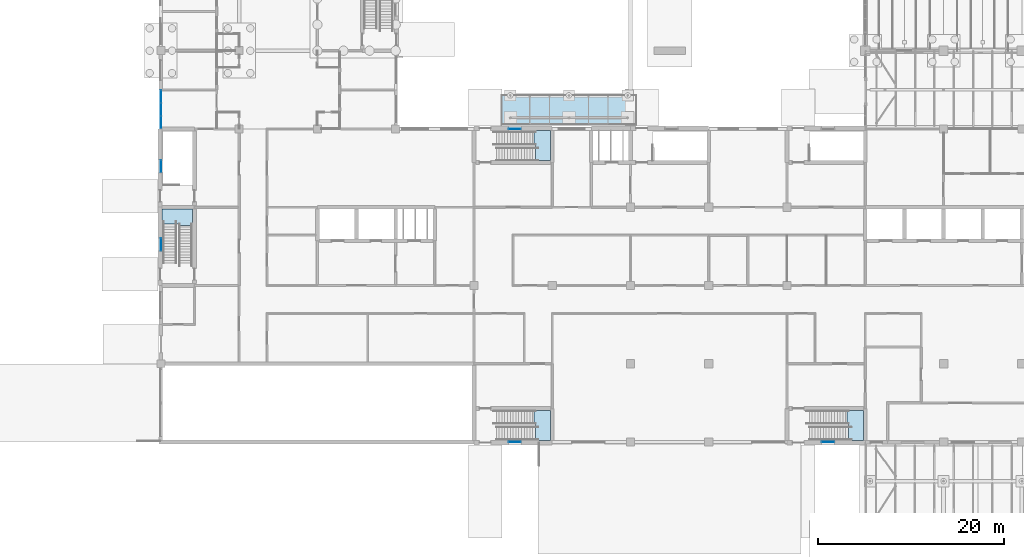
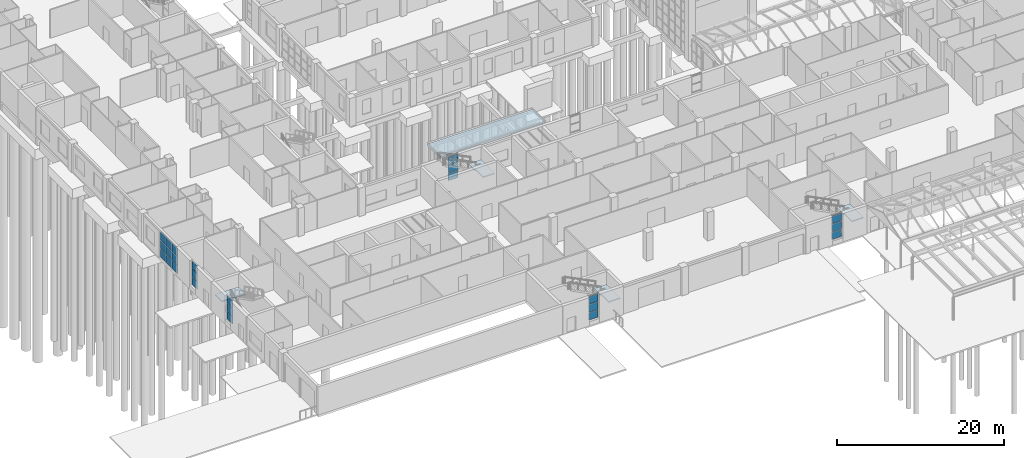
# One storey, part 77 of 138: 24 plates, 5 slabs, 10 elements without a shape of their own.
"""IFC4 building model written with IfcOpenShell, lengths in metres."""

from ifc_helpers import new_model, si_unit, direction, frame, origin, origin_2d, place, context, subcontext, project, spatial, polyline, rectangle, outline, extrude, material, layer, layer_set, type_object, element, aggregate, save


model = new_model("IFC4")

# Units and contexts
model_context = context("Model", 3, precision=1e-05, world=origin(), true_north=direction((0.0, 1.0)))
body_context = subcontext(model_context, "Body", "Model", "MODEL_VIEW")
ifc_project = project(units=[si_unit("LENGTHUNIT", "METRE"), si_unit("AREAUNIT", "SQUARE_METRE"), si_unit("VOLUMEUNIT", "CUBIC_METRE"), si_unit("PLANEANGLEUNIT", "RADIAN"), si_unit("MASSUNIT", "GRAM", prefix="KILO")], contexts=[model_context])

# Site, building, storey
site_placement = place(None, origin())
site = spatial("IfcSite", under=ifc_project, at=site_placement, CompositionType="ELEMENT")
building_placement = place(site_placement, origin())
building = spatial("IfcBuilding", under=site, at=building_placement, Name="Yavir Park General Hospital", CompositionType="ELEMENT")
storey_placement = place(building_placement, origin())
storey = spatial("IfcBuildingStorey", under=building, at=storey_placement, Name="L00", CompositionType="ELEMENT", Elevation=0.0)

# Stair, slab
ifc_material_1 = material(Name="Concrete C30/37", Category="concrete")
stair_type = type_object("IfcStairType", Name="Patient escape stair, 30 risers of 150 mm, 1400 mm flights", PredefinedType="HALF_TURN_STAIR", material=ifc_material_1)
stair_1_placement = place(storey_placement, origin())
stair_1 = element("IfcStair", 1, at=stair_1_placement, inside=storey, type_object=stair_type, Name="Stair SU1, L00 to L01", PredefinedType="HALF_TURN_STAIR")
ifc_material_2 = material(Name="Concrete C30/37", Category="concrete")
ifc_layer_1 = layer(ifc_material_2, 0.159912109375)
ifc_layer_set_1 = layer_set([ifc_layer_1], Name="Concrete C30/37")
slab_type_1 = type_object("IfcSlabType", Name="Patient escape stair half landing, reinforced concrete 160 mm", PredefinedType="LANDING", material=ifc_layer_set_1)
slab_1_placement = place(storey_placement, frame((0.0, 0.0, 2.090087890625)))
slab_1 = element("IfcSlab", 2, at=slab_1_placement, type_object=slab_type_1, Name="SU1 landing 1", PredefinedType="LANDING", context=body_context, shape_type="SweptSolid", body=[
    extrude(outline(polyline([(0.14990234375, 23.3984375), (0.14990234375, 25.0), (3.39990234375, 25.0), (3.39990234375, 23.25), (1.949951171875, 23.25), (1.949951171875, 23.3984375), (0.14990234375, 23.3984375)])), origin(), (0.0, 0.0, 1.0), 0.159912109375),
])
aggregate(stair_1, [slab_1])

stair_2_placement = place(storey_placement, origin())
stair_2 = element("IfcStair", 3, at=stair_2_placement, inside=storey, type_object=stair_type, Name="Stair SU2, L00 to L01", PredefinedType="HALF_TURN_STAIR")
slab_2_placement = place(storey_placement, frame((0.0, 0.0, 2.090087890625)))
slab_2 = element("IfcSlab", 4, at=slab_2_placement, type_object=slab_type_1, Name="SU2 landing 1", PredefinedType="LANDING", context=body_context, shape_type="SweptSolid", body=[
    extrude(outline(polyline([(40.198486328125, 0.14990234375), (41.800048828125, 0.14990234375), (41.800048828125, 3.39990234375), (40.050048828125, 3.39990234375), (40.050048828125, 1.949951171875), (40.198486328125, 1.949951171875), (40.198486328125, 0.14990234375)])), origin(), (0.0, 0.0, 1.0), 0.159912109375),
])
aggregate(stair_2, [slab_2])

stair_3_placement = place(storey_placement, origin())
stair_3 = element("IfcStair", 5, at=stair_3_placement, inside=storey, type_object=stair_type, Name="Stair SU3, L00 to L01", PredefinedType="HALF_TURN_STAIR")
slab_3_placement = place(storey_placement, frame((0.0, 0.0, 2.090087890625)))
slab_3 = element("IfcSlab", 6, at=slab_3_placement, type_object=slab_type_1, Name="SU3 landing 1", PredefinedType="LANDING", context=body_context, shape_type="SweptSolid", body=[
    extrude(outline(polyline([(73.798583984375, 0.14990234375), (75.39990234375, 0.14990234375), (75.39990234375, 3.39990234375), (73.64990234375, 3.39990234375), (73.64990234375, 1.949951171875), (73.798583984375, 1.949951171875), (73.798583984375, 0.14990234375)])), origin(), (0.0, 0.0, 1.0), 0.159912109375),
])
aggregate(stair_3, [slab_3])

stair_4_placement = place(storey_placement, origin())
stair_4 = element("IfcStair", 7, at=stair_4_placement, inside=storey, type_object=stair_type, Name="Stair PN1, L00 to L01", PredefinedType="HALF_TURN_STAIR")
slab_4_placement = place(storey_placement, frame((0.0, 0.0, 2.090087890625)))
slab_4 = element("IfcSlab", 8, at=slab_4_placement, type_object=slab_type_1, Name="PN1 landing 1", PredefinedType="LANDING", context=body_context, shape_type="SweptSolid", body=[
    extrude(outline(polyline([(40.198486328125, 30.199951171875), (41.800048828125, 30.199951171875), (41.800048828125, 33.449951171875), (40.050048828125, 33.449951171875), (40.050048828125, 31.89990234375), (40.198486328125, 31.89990234375), (40.198486328125, 30.199951171875)])), origin(), (0.0, 0.0, 1.0), 0.159912109375),
])
aggregate(stair_4, [slab_4])

# Slab
ifc_material_3 = material(Name="Concrete C35/45", Category="concrete")
ifc_layer_2 = layer(ifc_material_3, 0.25)
ifc_layer_set_2 = layer_set([ifc_layer_2], Name="Concrete C35/45")
slab_type_2 = type_object("IfcSlabType", Name="RC SLAB ROOF 250", PredefinedType="ROOF", material=ifc_layer_set_2)
slab_5_placement = place(storey_placement, frame((0.0, 0.0, 3.85009765625)))
element("IfcSlab", 9, at=slab_5_placement, inside=storey, type_object=slab_type_2, Name="RF:ARC1:slab", PredefinedType="ROOF", context=body_context, shape_type="SweptSolid", body=[
    extrude(outline(polyline([(51.0, 34.10009765625), (51.0, 37.199951171875), (36.60009765625, 37.199951171875), (36.60009765625, 34.10009765625), (51.0, 34.10009765625)])), origin(), (0.0, 0.0, 1.0), 0.25),
])

# Curtain wall, plates
ifc_material_4 = material(Name="Aluminium curtain wall frame with insulated glazing", Category="aluminium")
curtain_wall_type_1 = type_object("IfcCurtainWallType", Name="Reception glazing, 3840 high, 1400 module", PredefinedType="NOTDEFINED", material=ifc_material_4)
curtain_wall_1_placement = place(storey_placement, origin())
curtain_wall_1 = element("IfcCurtainWall", 10, at=curtain_wall_1_placement, inside=storey, type_object=curtain_wall_type_1, Name="CW8 L00-040", PredefinedType="NOTDEFINED")
ifc_material_5 = material(Name="Security glazed unit 50 mm")
ifc_layer_3 = layer(ifc_material_5, 0.050048828125)
ifc_layer_set_3 = layer_set([ifc_layer_3], Name="Security glazed unit 50 mm")
plate_type_1 = type_object("IfcPlateType", Name="Reception glazing, 3840 high panel 50", PredefinedType="CURTAIN_PANEL", material=ifc_layer_set_3)
plate_1_placement = place(storey_placement, frame((0.0, 34.31494140625, 0.06005859375), z_axis=(0.0, 0.0, 1.0), x_axis=(0.0, 1.0, 0.0)))
plate_1 = element("IfcPlate", 11, at=plate_1_placement, type_object=plate_type_1, Name="CW8 panel 1.1", PredefinedType="CURTAIN_PANEL", context=body_context, shape_type="SweptSolid", body=[
    extrude(rectangle(XDim=1.31005859375, YDim=0.050048828125, at=origin_2d()), origin(), (0.0, 0.0, 1.0), 1.18994140625),
])
plate_2_placement = place(storey_placement, frame((0.0, 34.31494140625, 1.31005859375), z_axis=(0.0, 0.0, 1.0), x_axis=(0.0, 1.0, 0.0)))
plate_2 = element("IfcPlate", 12, at=plate_2_placement, type_object=plate_type_1, Name="CW8 panel 1.2", PredefinedType="CURTAIN_PANEL", context=body_context, shape_type="SweptSolid", body=[
    extrude(rectangle(XDim=1.31005859375, YDim=0.050048828125, at=origin_2d()), origin(), (0.0, 0.0, 1.0), 1.219970703125),
])
plate_3_placement = place(storey_placement, frame((0.0, 34.31494140625, 2.590087890625), z_axis=(0.0, 0.0, 1.0), x_axis=(0.0, 1.0, 0.0)))
plate_3 = element("IfcPlate", 13, at=plate_3_placement, type_object=plate_type_1, Name="CW8 panel 1.3", PredefinedType="CURTAIN_PANEL", context=body_context, shape_type="SweptSolid", body=[
    extrude(rectangle(XDim=1.31005859375, YDim=0.050048828125, at=origin_2d()), origin(), (0.0, 0.0, 1.0), 1.18994140625),
])
plate_4_placement = place(storey_placement, frame((0.0, 35.699951171875, 0.06005859375), z_axis=(0.0, 0.0, 1.0), x_axis=(0.0, 1.0, 0.0)))
plate_4 = element("IfcPlate", 14, at=plate_4_placement, type_object=plate_type_1, Name="CW8 panel 2.1", PredefinedType="CURTAIN_PANEL", context=body_context, shape_type="SweptSolid", body=[
    extrude(rectangle(XDim=1.340087890625, YDim=0.050048828125, at=origin_2d()), origin(), (0.0, 0.0, 1.0), 1.18994140625),
])
plate_5_placement = place(storey_placement, frame((0.0, 35.699951171875, 1.31005859375), z_axis=(0.0, 0.0, 1.0), x_axis=(0.0, 1.0, 0.0)))
plate_5 = element("IfcPlate", 15, at=plate_5_placement, type_object=plate_type_1, Name="CW8 panel 2.2", PredefinedType="CURTAIN_PANEL", context=body_context, shape_type="SweptSolid", body=[
    extrude(rectangle(XDim=1.340087890625, YDim=0.050048828125, at=origin_2d()), origin(), (0.0, 0.0, 1.0), 1.219970703125),
])
plate_6_placement = place(storey_placement, frame((0.0, 35.699951171875, 2.590087890625), z_axis=(0.0, 0.0, 1.0), x_axis=(0.0, 1.0, 0.0)))
plate_6 = element("IfcPlate", 16, at=plate_6_placement, type_object=plate_type_1, Name="CW8 panel 2.3", PredefinedType="CURTAIN_PANEL", context=body_context, shape_type="SweptSolid", body=[
    extrude(rectangle(XDim=1.340087890625, YDim=0.050048828125, at=origin_2d()), origin(), (0.0, 0.0, 1.0), 1.18994140625),
])
plate_7_placement = place(storey_placement, frame((0.0, 37.0849609375, 0.06005859375), z_axis=(0.0, 0.0, 1.0), x_axis=(0.0, 1.0, 0.0)))
plate_7 = element("IfcPlate", 17, at=plate_7_placement, type_object=plate_type_1, Name="CW8 panel 3.1", PredefinedType="CURTAIN_PANEL", context=body_context, shape_type="SweptSolid", body=[
    extrude(rectangle(XDim=1.31005859375, YDim=0.050048828125, at=origin_2d()), origin(), (0.0, 0.0, 1.0), 1.18994140625),
])
plate_8_placement = place(storey_placement, frame((0.0, 37.0849609375, 1.31005859375), z_axis=(0.0, 0.0, 1.0), x_axis=(0.0, 1.0, 0.0)))
plate_8 = element("IfcPlate", 18, at=plate_8_placement, type_object=plate_type_1, Name="CW8 panel 3.2", PredefinedType="CURTAIN_PANEL", context=body_context, shape_type="SweptSolid", body=[
    extrude(rectangle(XDim=1.31005859375, YDim=0.050048828125, at=origin_2d()), origin(), (0.0, 0.0, 1.0), 1.219970703125),
])
plate_9_placement = place(storey_placement, frame((0.0, 37.0849609375, 2.590087890625), z_axis=(0.0, 0.0, 1.0), x_axis=(0.0, 1.0, 0.0)))
plate_9 = element("IfcPlate", 19, at=plate_9_placement, type_object=plate_type_1, Name="CW8 panel 3.3", PredefinedType="CURTAIN_PANEL", context=body_context, shape_type="SweptSolid", body=[
    extrude(rectangle(XDim=1.31005859375, YDim=0.050048828125, at=origin_2d()), origin(), (0.0, 0.0, 1.0), 1.18994140625),
])
aggregate(curtain_wall_1, [plate_1, plate_2, plate_3, plate_4, plate_5, plate_6, plate_7, plate_8, plate_9])

ifc_material_6 = material(Name="Aluminium curtain wall frame with insulated glazing", Category="aluminium")
curtain_wall_type_2 = type_object("IfcCurtainWallType", Name="Stair light slot, ground floor, 3540 high, 1400 module", PredefinedType="NOTDEFINED", material=ifc_material_6)
curtain_wall_2_placement = place(storey_placement, origin())
curtain_wall_2 = element("IfcCurtainWall", 20, at=curtain_wall_2_placement, inside=storey, type_object=curtain_wall_type_2, Name="CW19 L00-001", PredefinedType="NOTDEFINED")
ifc_material_7 = material(Name="Impact-resistant glazed unit 60 mm")
ifc_layer_4 = layer(ifc_material_7, 0.06005859375)
ifc_layer_set_4 = layer_set([ifc_layer_4], Name="Impact-resistant glazed unit 60 mm")
plate_type_2 = type_object("IfcPlateType", Name="Stair light slot, ground floor, 3540 high panel 60", PredefinedType="CURTAIN_PANEL", material=ifc_layer_set_4)
plate_10_placement = place(storey_placement, frame((38.0, 0.0, 0.64990234375), z_axis=(0.0, 0.0, 1.0), x_axis=(1.0, 0.0, 0.0)))
plate_10 = element("IfcPlate", 21, at=plate_10_placement, type_object=plate_type_2, Name="CW19 panel 1.1", PredefinedType="CURTAIN_PANEL", context=body_context, shape_type="SweptSolid", body=[
    extrude(rectangle(XDim=1.300048828125, YDim=0.06005859375, at=origin_2d()), origin(), (0.0, 0.0, 1.0), 1.10498046875),
])
plate_11_placement = place(storey_placement, frame((38.0, 0.0, 1.80517578125), z_axis=(0.0, 0.0, 1.0), x_axis=(1.0, 0.0, 0.0)))
plate_11 = element("IfcPlate", 22, at=plate_11_placement, type_object=plate_type_2, Name="CW19 panel 1.2", PredefinedType="CURTAIN_PANEL", context=body_context, shape_type="SweptSolid", body=[
    extrude(rectangle(XDim=1.300048828125, YDim=0.06005859375, at=origin_2d()), origin(), (0.0, 0.0, 1.0), 1.1298828125),
])
plate_12_placement = place(storey_placement, frame((38.0, 0.0, 2.985107421875), z_axis=(0.0, 0.0, 1.0), x_axis=(1.0, 0.0, 0.0)))
plate_12 = element("IfcPlate", 23, at=plate_12_placement, type_object=plate_type_2, Name="CW19 panel 1.3", PredefinedType="CURTAIN_PANEL", context=body_context, shape_type="SweptSolid", body=[
    extrude(rectangle(XDim=1.300048828125, YDim=0.06005859375, at=origin_2d()), origin(), (0.0, 0.0, 1.0), 1.10498046875),
])
aggregate(curtain_wall_2, [plate_10, plate_11, plate_12])

curtain_wall_3_placement = place(storey_placement, origin())
curtain_wall_3 = element("IfcCurtainWall", 24, at=curtain_wall_3_placement, inside=storey, type_object=curtain_wall_type_2, Name="CW19 L00-002", PredefinedType="NOTDEFINED")
plate_13_placement = place(storey_placement, frame((71.60009765625, 0.0, 0.64990234375), z_axis=(0.0, 0.0, 1.0), x_axis=(1.0, 0.0, 0.0)))
plate_13 = element("IfcPlate", 25, at=plate_13_placement, type_object=plate_type_2, Name="CW19 panel 1.1", PredefinedType="CURTAIN_PANEL", context=body_context, shape_type="SweptSolid", body=[
    extrude(rectangle(XDim=1.300048828125, YDim=0.06005859375, at=origin_2d()), origin(), (0.0, 0.0, 1.0), 1.10498046875),
])
plate_14_placement = place(storey_placement, frame((71.60009765625, 0.0, 1.80517578125), z_axis=(0.0, 0.0, 1.0), x_axis=(1.0, 0.0, 0.0)))
plate_14 = element("IfcPlate", 26, at=plate_14_placement, type_object=plate_type_2, Name="CW19 panel 1.2", PredefinedType="CURTAIN_PANEL", context=body_context, shape_type="SweptSolid", body=[
    extrude(rectangle(XDim=1.300048828125, YDim=0.06005859375, at=origin_2d()), origin(), (0.0, 0.0, 1.0), 1.1298828125),
])
plate_15_placement = place(storey_placement, frame((71.60009765625, 0.0, 2.985107421875), z_axis=(0.0, 0.0, 1.0), x_axis=(1.0, 0.0, 0.0)))
plate_15 = element("IfcPlate", 27, at=plate_15_placement, type_object=plate_type_2, Name="CW19 panel 1.3", PredefinedType="CURTAIN_PANEL", context=body_context, shape_type="SweptSolid", body=[
    extrude(rectangle(XDim=1.300048828125, YDim=0.06005859375, at=origin_2d()), origin(), (0.0, 0.0, 1.0), 1.10498046875),
])
aggregate(curtain_wall_3, [plate_13, plate_14, plate_15])

curtain_wall_4_placement = place(storey_placement, origin())
curtain_wall_4 = element("IfcCurtainWall", 28, at=curtain_wall_4_placement, inside=storey, type_object=curtain_wall_type_2, Name="CW19 L00-006", PredefinedType="NOTDEFINED")
plate_16_placement = place(storey_placement, frame((38.0, 33.60009765625, 0.64990234375), z_axis=(0.0, 0.0, 1.0), x_axis=(1.0, 0.0, 0.0)))
plate_16 = element("IfcPlate", 29, at=plate_16_placement, type_object=plate_type_2, Name="CW19 panel 1.1", PredefinedType="CURTAIN_PANEL", context=body_context, shape_type="SweptSolid", body=[
    extrude(rectangle(XDim=1.300048828125, YDim=0.06005859375, at=origin_2d()), origin(), (0.0, 0.0, 1.0), 1.10498046875),
])
plate_17_placement = place(storey_placement, frame((38.0, 33.60009765625, 1.80517578125), z_axis=(0.0, 0.0, 1.0), x_axis=(1.0, 0.0, 0.0)))
plate_17 = element("IfcPlate", 30, at=plate_17_placement, type_object=plate_type_2, Name="CW19 panel 1.2", PredefinedType="CURTAIN_PANEL", context=body_context, shape_type="SweptSolid", body=[
    extrude(rectangle(XDim=1.300048828125, YDim=0.06005859375, at=origin_2d()), origin(), (0.0, 0.0, 1.0), 1.1298828125),
])
plate_18_placement = place(storey_placement, frame((38.0, 33.60009765625, 2.985107421875), z_axis=(0.0, 0.0, 1.0), x_axis=(1.0, 0.0, 0.0)))
plate_18 = element("IfcPlate", 31, at=plate_18_placement, type_object=plate_type_2, Name="CW19 panel 1.3", PredefinedType="CURTAIN_PANEL", context=body_context, shape_type="SweptSolid", body=[
    extrude(rectangle(XDim=1.300048828125, YDim=0.06005859375, at=origin_2d()), origin(), (0.0, 0.0, 1.0), 1.10498046875),
])
aggregate(curtain_wall_4, [plate_16, plate_17, plate_18])

curtain_wall_5_placement = place(storey_placement, origin())
curtain_wall_5 = element("IfcCurtainWall", 32, at=curtain_wall_5_placement, inside=storey, type_object=curtain_wall_type_2, Name="CW19 L00-038", PredefinedType="NOTDEFINED")
plate_19_placement = place(storey_placement, frame((0.0, 21.199951171875, 0.64990234375), z_axis=(0.0, 0.0, 1.0), x_axis=(0.0, 1.0, 0.0)))
plate_19 = element("IfcPlate", 33, at=plate_19_placement, type_object=plate_type_2, Name="CW19 panel 1.1", PredefinedType="CURTAIN_PANEL", context=body_context, shape_type="SweptSolid", body=[
    extrude(rectangle(XDim=1.300048828125, YDim=0.06005859375, at=origin_2d()), origin(), (0.0, 0.0, 1.0), 1.10498046875),
])
plate_20_placement = place(storey_placement, frame((0.0, 21.199951171875, 1.80517578125), z_axis=(0.0, 0.0, 1.0), x_axis=(0.0, 1.0, 0.0)))
plate_20 = element("IfcPlate", 34, at=plate_20_placement, type_object=plate_type_2, Name="CW19 panel 1.2", PredefinedType="CURTAIN_PANEL", context=body_context, shape_type="SweptSolid", body=[
    extrude(rectangle(XDim=1.300048828125, YDim=0.06005859375, at=origin_2d()), origin(), (0.0, 0.0, 1.0), 1.1298828125),
])
plate_21_placement = place(storey_placement, frame((0.0, 21.199951171875, 2.985107421875), z_axis=(0.0, 0.0, 1.0), x_axis=(0.0, 1.0, 0.0)))
plate_21 = element("IfcPlate", 35, at=plate_21_placement, type_object=plate_type_2, Name="CW19 panel 1.3", PredefinedType="CURTAIN_PANEL", context=body_context, shape_type="SweptSolid", body=[
    extrude(rectangle(XDim=1.300048828125, YDim=0.06005859375, at=origin_2d()), origin(), (0.0, 0.0, 1.0), 1.10498046875),
])
aggregate(curtain_wall_5, [plate_19, plate_20, plate_21])

curtain_wall_6_placement = place(storey_placement, origin())
curtain_wall_6 = element("IfcCurtainWall", 36, at=curtain_wall_6_placement, inside=storey, type_object=curtain_wall_type_2, Name="CW19 L00-039", PredefinedType="NOTDEFINED")
plate_22_placement = place(storey_placement, frame((0.0, 29.60009765625, 0.64990234375), z_axis=(0.0, 0.0, 1.0), x_axis=(0.0, 1.0, 0.0)))
plate_22 = element("IfcPlate", 37, at=plate_22_placement, type_object=plate_type_2, Name="CW19 panel 1.1", PredefinedType="CURTAIN_PANEL", context=body_context, shape_type="SweptSolid", body=[
    extrude(rectangle(XDim=1.300048828125, YDim=0.06005859375, at=origin_2d()), origin(), (0.0, 0.0, 1.0), 1.10498046875),
])
plate_23_placement = place(storey_placement, frame((0.0, 29.60009765625, 1.80517578125), z_axis=(0.0, 0.0, 1.0), x_axis=(0.0, 1.0, 0.0)))
plate_23 = element("IfcPlate", 38, at=plate_23_placement, type_object=plate_type_2, Name="CW19 panel 1.2", PredefinedType="CURTAIN_PANEL", context=body_context, shape_type="SweptSolid", body=[
    extrude(rectangle(XDim=1.300048828125, YDim=0.06005859375, at=origin_2d()), origin(), (0.0, 0.0, 1.0), 1.1298828125),
])
plate_24_placement = place(storey_placement, frame((0.0, 29.60009765625, 2.985107421875), z_axis=(0.0, 0.0, 1.0), x_axis=(0.0, 1.0, 0.0)))
plate_24 = element("IfcPlate", 39, at=plate_24_placement, type_object=plate_type_2, Name="CW19 panel 1.3", PredefinedType="CURTAIN_PANEL", context=body_context, shape_type="SweptSolid", body=[
    extrude(rectangle(XDim=1.300048828125, YDim=0.06005859375, at=origin_2d()), origin(), (0.0, 0.0, 1.0), 1.10498046875),
])
aggregate(curtain_wall_6, [plate_22, plate_23, plate_24])

save(model, "model.ifc")
